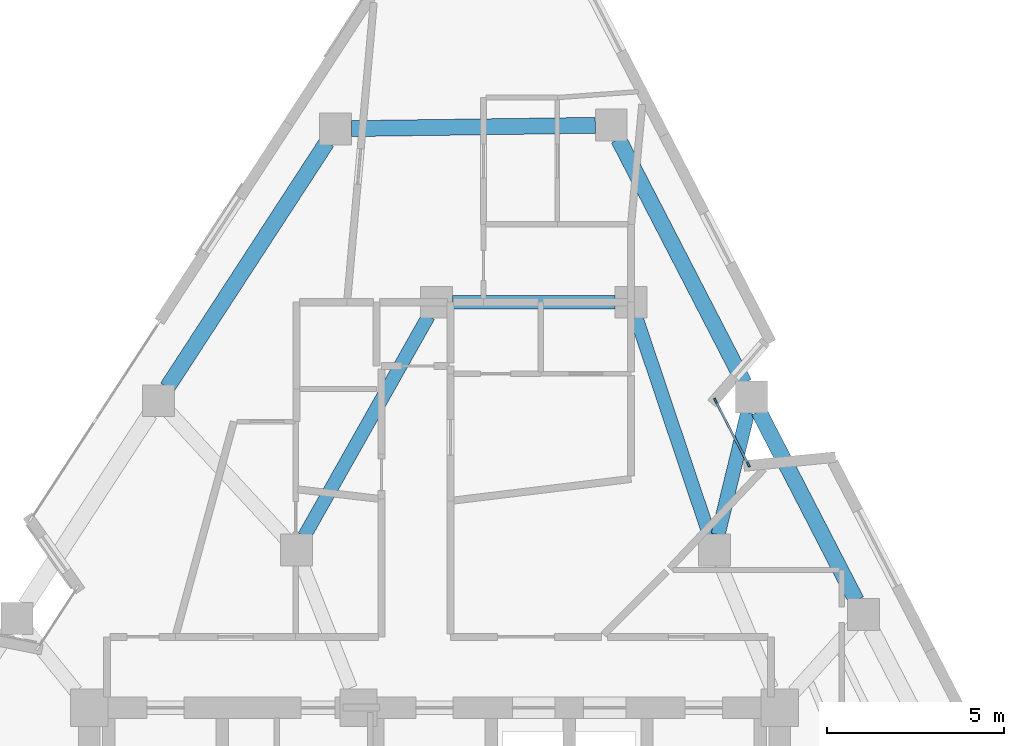
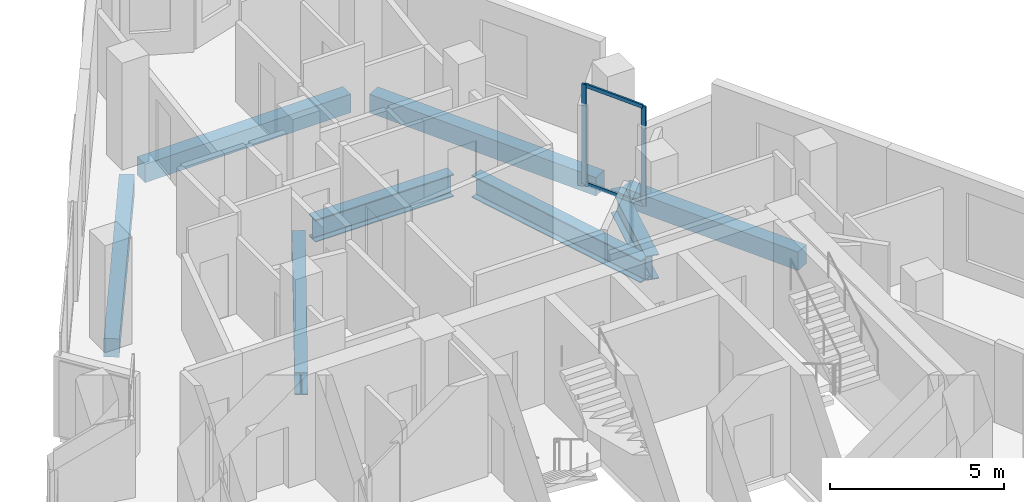
# One storey, part 3 of 9: 8 beams, 4 members, 1 element without a shape of its own.
"""IFC4 building model written with IfcOpenShell, lengths in metres."""

from ifc_helpers import new_model, si_unit, direction, frame, origin, origin_2d, place, context, subcontext, project, spatial, rectangle, i_section, extrude, material, layer, layer_set, material_profile, profile_set, type_object, element, aggregate, save


model = new_model("IFC4")

# Units and contexts
model_context = context("Model", 3, precision=1e-05, world=origin(), true_north=direction((0.0, 1.0)))
body_context = subcontext(model_context, "Body", "Model", "MODEL_VIEW")
ifc_project = project(units=[si_unit("LENGTHUNIT", "METRE"), si_unit("AREAUNIT", "SQUARE_METRE"), si_unit("VOLUMEUNIT", "CUBIC_METRE"), si_unit("PLANEANGLEUNIT", "RADIAN"), si_unit("MASSUNIT", "GRAM", prefix="KILO")], contexts=[model_context])

# Site, building, storey
site_placement = place(None, origin())
site = spatial("IfcSite", under=ifc_project, at=site_placement, CompositionType="ELEMENT")
building_placement = place(site_placement, origin())
building = spatial("IfcBuilding", under=site, at=building_placement, Name="Almagre Mirador Tower", CompositionType="ELEMENT")
storey_placement = place(building_placement, frame((0.0, 0.0, 207.0)))
storey = spatial("IfcBuildingStorey", under=building, at=storey_placement, Name="L53", CompositionType="ELEMENT", Elevation=207.0)

# Beams
ifc_material_1 = material(Name="Precast concrete C50/60", Category="concrete")
ifc_material_profile_1 = material_profile(ifc_material_1, rectangle(XDim=0.449951171875, YDim=0.64990234375, at=origin_2d()), Name="RC450X650")
ifc_profile_set_1 = profile_set([ifc_material_profile_1], Name="Precast concrete C50/60")
beam_type_1 = type_object("IfcBeamType", Name="BM-SPN-RC450X650", PredefinedType="SPANDREL", material=ifc_profile_set_1)
beam_1_placement = place(storey_placement, frame((49.210693359375, 17.778076171875, -0.574951171875), z_axis=(-0.458304670179, 0.888795155979, 0.0), x_axis=(-0.888795155979, -0.458304670179, 0.0)))
element("IfcBeam", 1, at=beam_1_placement, inside=storey, type_object=beam_type_1, Name="L53 perimeter spandrel beam PC06-PC07", PredefinedType="SPANDREL", context=body_context, shape_type="SweptSolid", body=[
    extrude(rectangle(XDim=0.449951171875, YDim=0.64990234375, at=origin_2d()), origin(), (0.0, 0.0, 1.0), 6.0126953125),
])
beam_2_placement = place(storey_placement, frame((46.042724609375, 23.922119140625, -0.574951171875), z_axis=(-0.45830626259, 0.888794334855, 0.0), x_axis=(-0.888794334855, -0.45830626259, 0.0)))
element("IfcBeam", 2, at=beam_2_placement, inside=storey, type_object=beam_type_1, Name="L53 perimeter spandrel beam PC07-PC08", PredefinedType="SPANDREL", context=body_context, shape_type="SweptSolid", body=[
    extrude(rectangle(XDim=0.449951171875, YDim=0.64990234375, at=origin_2d()), origin(), (0.0, 0.0, 1.0), 7.74072265625),
])
beam_3_placement = place(storey_placement, frame((41.839111328125, 31.19580078125, -0.574951171875), z_axis=(-0.999909177083, -0.013477298879, 0.0), x_axis=(0.013477298879, -0.999909177083, 0.0)))
element("IfcBeam", 3, at=beam_3_placement, inside=storey, type_object=beam_type_1, Name="L53 perimeter spandrel beam PC08-PC09", PredefinedType="SPANDREL", context=body_context, shape_type="SweptSolid", body=[
    extrude(rectangle(XDim=0.449951171875, YDim=0.64990234375, at=origin_2d()), origin(), (0.0, 0.0, 1.0), 6.8837890625),
])
beam_4_placement = place(storey_placement, frame((34.260498046875, 30.719970703125, -0.574951171875), z_axis=(-0.545607073801, -0.838041121317, 0.0), x_axis=(0.838041121317, -0.545607073801, 0.0)))
element("IfcBeam", 4, at=beam_4_placement, inside=storey, type_object=beam_type_1, Name="L53 perimeter spandrel beam PC09-PC10", PredefinedType="SPANDREL", context=body_context, shape_type="SweptSolid", body=[
    extrude(rectangle(XDim=0.449951171875, YDim=0.64990234375, at=origin_2d()), origin(), (0.0, 0.0, 1.0), 8.26416015625),
])
ifc_material_2 = material(Name="Steel ASTM A992 Grade 50", Category="steel")
ifc_material_profile_2 = material_profile(ifc_material_2, i_section(OverallWidth=0.384033203125, OverallDepth=0.784912109375, WebThickness=0.019775390625, FlangeThickness=0.033447265625, FilletRadius=0.02392578125, at=origin_2d()), Name="W30X211")
ifc_profile_set_2 = profile_set([ifc_material_profile_2], Name="Steel ASTM A992 Grade 50")
beam_type_2 = type_object("IfcBeamType", Name="BM-STL-W30X211", PredefinedType="BEAM", material=ifc_profile_set_2)
beam_5_placement = place(storey_placement, frame((37.800048828125, 26.199951171875, -0.642578125), z_axis=(1.0, 0.0, 0.0), x_axis=(0.0, 1.0, 0.0)))
element("IfcBeam", 5, at=beam_5_placement, inside=storey, type_object=beam_type_2, Name="L53 core tie girder MC7-MC6", PredefinedType="BEAM", context=body_context, shape_type="SweptSolid", body=[
    extrude(i_section(OverallWidth=0.384033203125, OverallDepth=0.784912109375, WebThickness=0.019775390625, FlangeThickness=0.033447265625, FilletRadius=0.02392578125, at=origin_2d()), origin(), (0.0, 0.0, 1.0), 4.599853515625),
])
beam_6_placement = place(storey_placement, frame((42.9931640625, 25.7734375, -0.642578125), z_axis=(0.318282890726, -0.947995781357, 0.0), x_axis=(0.947995781357, 0.318282890726, 0.0)))
element("IfcBeam", 6, at=beam_6_placement, inside=storey, type_object=beam_type_2, Name="L53 core tie girder MC6-MC5", PredefinedType="BEAM", context=body_context, shape_type="SweptSolid", body=[
    extrude(i_section(OverallWidth=0.384033203125, OverallDepth=0.784912109375, WebThickness=0.019775390625, FlangeThickness=0.033447265625, FilletRadius=0.02392578125, at=origin_2d()), origin(), (0.0, 0.0, 1.0), 6.48388671875),
])
beam_7_placement = place(storey_placement, frame((37.12890625, 25.80810546875, -0.642578125), z_axis=(-0.491446261843, -0.870907900825, 0.0), x_axis=(0.870907900825, -0.491446261843, 0.0)))
element("IfcBeam", 7, at=beam_7_placement, inside=storey, type_object=beam_type_2, Name="L53 core tie girder MC7-MC8", PredefinedType="BEAM", context=body_context, shape_type="SweptSolid", body=[
    extrude(i_section(OverallWidth=0.384033203125, OverallDepth=0.784912109375, WebThickness=0.019775390625, FlangeThickness=0.033447265625, FilletRadius=0.02392578125, at=origin_2d()), origin(), (0.0, 0.0, 1.0), 7.1376953125),
])
ifc_material_3 = material(Name="Steel ASTM A992 Grade 50", Category="steel")
ifc_material_profile_3 = material_profile(ifc_material_3, i_section(OverallWidth=0.39892578125, OverallDepth=0.85595703125, WebThickness=0.018310546875, FlangeThickness=0.029296875, FilletRadius=0.02490234375, at=origin_2d()), Name="W33X201")
ifc_profile_set_3 = profile_set([ifc_material_profile_3], Name="Steel ASTM A992 Grade 50")
beam_type_3 = type_object("IfcBeamType", Name="BM-STL-W33X201", PredefinedType="BEAM", material=ifc_profile_set_3)
beam_8_placement = place(storey_placement, frame((46.142822265625, 23.084716796875, -0.677978515625), z_axis=(-0.235842287006, -0.971791343684, 0.0), x_axis=(0.971791343684, -0.235842287006, 0.0)))
element("IfcBeam", 8, at=beam_8_placement, inside=storey, type_object=beam_type_3, Name="L53 radial floor girder PC07-MC5", PredefinedType="BEAM", context=body_context, shape_type="SweptSolid", body=[
    extrude(i_section(OverallWidth=0.39892578125, OverallDepth=0.85595703125, WebThickness=0.018310546875, FlangeThickness=0.029296875, FilletRadius=0.02490234375, at=origin_2d()), origin(), (0.0, 0.0, 1.0), 3.547607421875),
])

# Curtain wall, members
ifc_material_4 = material(Name="Black anodized aluminium", Category="aluminium")
ifc_layer = layer(ifc_material_4, 0.169921875)
ifc_layer_set = layer_set([ifc_layer], Name="Black anodized aluminium")
curtain_wall_type = type_object("IfcCurtainWallType", Name="CW-CRS-SYS", PredefinedType="NOTDEFINED", material=ifc_layer_set)
curtain_wall_placement = place(storey_placement, origin())
curtain_wall = element("IfcCurtainWall", 9, at=curtain_wall_placement, inside=storey, type_object=curtain_wall_type, Name="L53 vertical crease curtain wall 03", PredefinedType="NOTDEFINED")
ifc_material_5 = material(Name="Black anodized aluminium", Category="aluminium")
ifc_material_profile_4 = material_profile(ifc_material_5, rectangle(XDim=0.06005859375, YDim=0.14990234375, at=origin_2d()), Name="CWM60X150")
ifc_profile_set_4 = profile_set([ifc_material_profile_4], Name="Black anodized aluminium")
member_type_1 = type_object("IfcMemberType", Name="MBR-CWM60X150", PredefinedType="MULLION", material=ifc_profile_set_4)
member_1_placement = place(storey_placement, frame((45.232666015625, 23.42041015625, 0.0), z_axis=(0.0, 0.0, 1.0), x_axis=(0.888809256499, 0.458277323858, 0.0)))
member_1 = element("IfcMember", 10, at=member_1_placement, type_object=member_type_1, Name="CW-4 mullion 1", PredefinedType="MULLION", context=body_context, shape_type="SweptSolid", body=[
    extrude(rectangle(XDim=0.06005859375, YDim=0.14990234375, at=origin_2d()), origin(), (0.0, 0.0, 1.0), 3.5),
])
member_2_placement = place(storey_placement, frame((46.163330078125, 21.61572265625, 0.0), z_axis=(0.0, 0.0, 1.0), x_axis=(0.888809256499, 0.458277323858, 0.0)))
member_2 = element("IfcMember", 11, at=member_2_placement, type_object=member_type_1, Name="CW-4 mullion 2", PredefinedType="MULLION", context=body_context, shape_type="SweptSolid", body=[
    extrude(rectangle(XDim=0.06005859375, YDim=0.14990234375, at=origin_2d()), origin(), (0.0, 0.0, 1.0), 3.5),
])
ifc_material_6 = material(Name="Black anodized aluminium", Category="aluminium")
ifc_material_profile_5 = material_profile(ifc_material_6, rectangle(XDim=0.06005859375, YDim=0.1298828125, at=origin_2d()), Name="CWT60X130")
ifc_profile_set_5 = profile_set([ifc_material_profile_5], Name="Black anodized aluminium")
member_type_2 = type_object("IfcMemberType", Name="MBR-CWT60X130", PredefinedType="USERDEFINED", material=ifc_profile_set_5)
member_3_placement = place(storey_placement, frame((45.24658203125, 23.3935546875, 0.030029296875), z_axis=(0.458232540668, -0.88883234565, 0.0), x_axis=(0.88883234565, 0.458232540668, 0.0)))
member_3 = element("IfcMember", 12, at=member_3_placement, type_object=member_type_2, Name="CW-4 transom 1.1", ObjectType="TRANSOM", PredefinedType="USERDEFINED", context=body_context, shape_type="SweptSolid", body=[
    extrude(rectangle(XDim=0.06005859375, YDim=0.1298828125, at=origin_2d()), origin(), (0.0, 0.0, 1.0), 1.97021484375),
])
member_4_placement = place(storey_placement, frame((45.24658203125, 23.3935546875, 3.469970703125), z_axis=(0.458232540668, -0.88883234565, 0.0), x_axis=(0.88883234565, 0.458232540668, 0.0)))
member_4 = element("IfcMember", 13, at=member_4_placement, type_object=member_type_2, Name="CW-4 transom 1.2", ObjectType="TRANSOM", PredefinedType="USERDEFINED", context=body_context, shape_type="SweptSolid", body=[
    extrude(rectangle(XDim=0.06005859375, YDim=0.1298828125, at=origin_2d()), origin(), (0.0, 0.0, 1.0), 1.97021484375),
])
aggregate(curtain_wall, [member_1, member_2, member_3, member_4])

save(model, "model.ifc")
